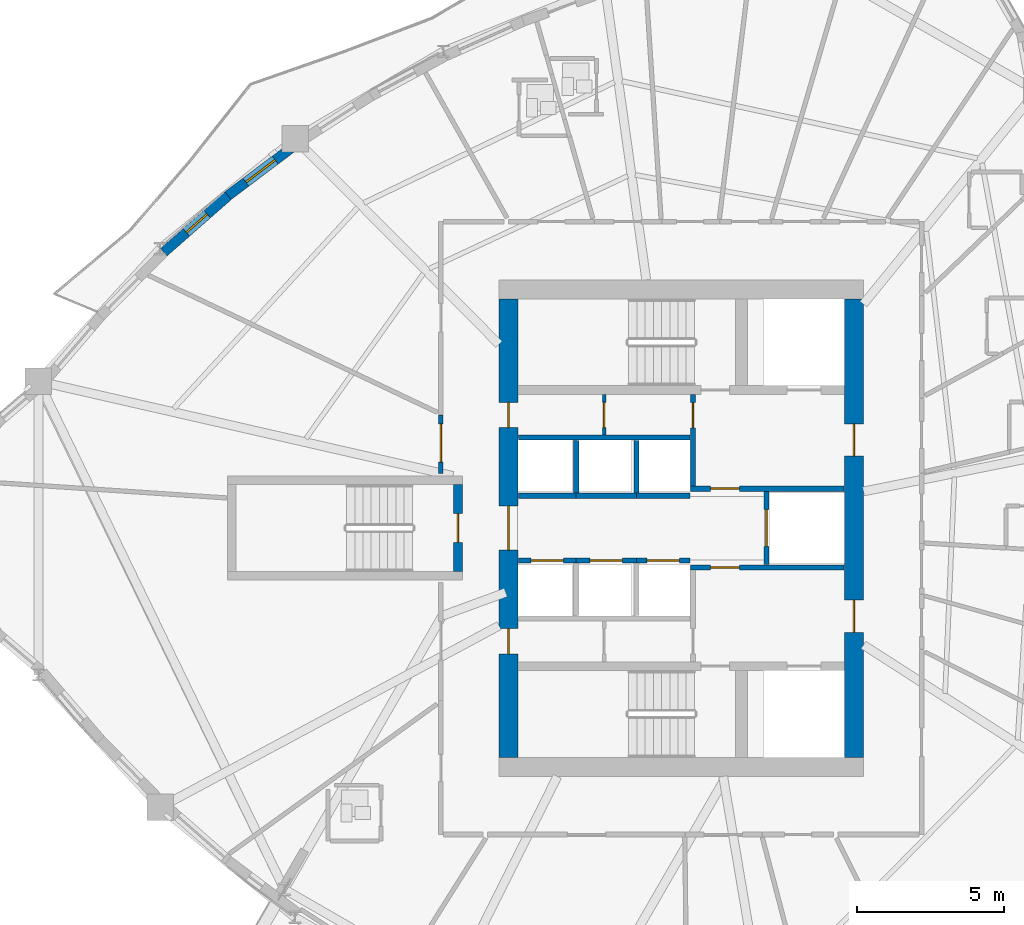
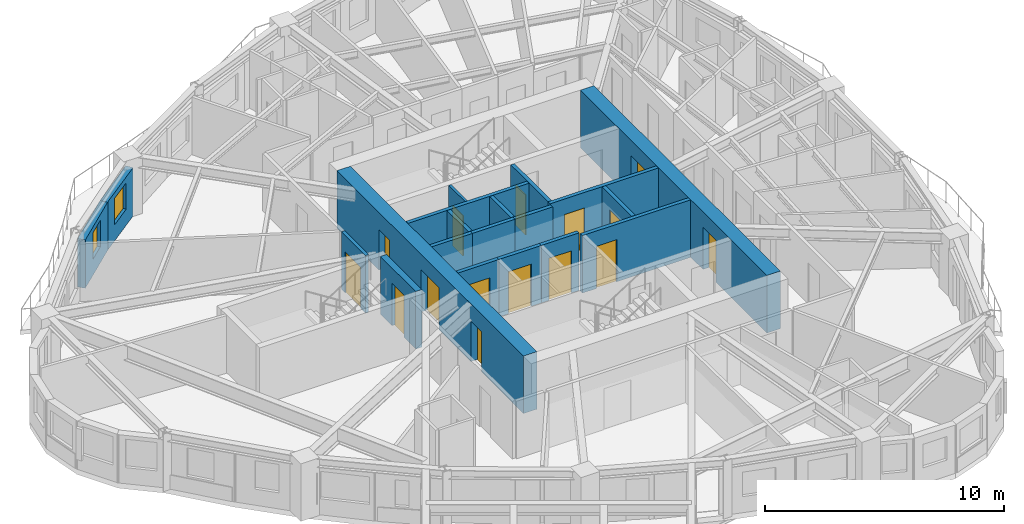
# One storey, part 8 of 17: 20 walls, 15 doors, 2 windows, 17 openings.
"""IFC4 building model written with IfcOpenShell, lengths in metres."""

from ifc_helpers import new_model, si_unit, direction, frame, frame_2d, origin, place, context, subcontext, project, spatial, rectangle, extrude, source, transform, mapped, material, layer, layer_set, type_object, element, fill, save


model = new_model("IFC4")

# Units and contexts
model_context = context("Model", 3, precision=1e-05, world=origin(), true_north=direction((0.0, 1.0)))
body_context = subcontext(model_context, "Body", "Model", "MODEL_VIEW")
ifc_project = project(units=[si_unit("LENGTHUNIT", "METRE"), si_unit("AREAUNIT", "SQUARE_METRE"), si_unit("VOLUMEUNIT", "CUBIC_METRE"), si_unit("PLANEANGLEUNIT", "RADIAN"), si_unit("MASSUNIT", "GRAM", prefix="KILO")], contexts=[model_context])

# Site, building, storey
site_placement = place(None, origin())
site = spatial("IfcSite", under=ifc_project, at=site_placement, CompositionType="ELEMENT")
building_placement = place(site_placement, origin())
building = spatial("IfcBuilding", under=site, at=building_placement, Name="Qafzar Sky-Pleat Residences", CompositionType="ELEMENT")
storey_placement = place(building_placement, frame((0.0, 0.0, 108.800048828125)))
storey = spatial("IfcBuildingStorey", under=building, at=storey_placement, Name="L32", CompositionType="ELEMENT", Elevation=108.800048828125)

# Wall, opening, door
ifc_material_1 = material(Name="Acoustic gypsum plasterboard partition", Category="gypsum")
ifc_layer_1 = layer(ifc_material_1, 0.159912109375)
ifc_layer_set_1 = layer_set([ifc_layer_1], Name="Acoustic gypsum plasterboard partition")
wall_type_1 = type_object("IfcWallType", Name="PART-COR-160", PredefinedType="PARTITIONING", material=ifc_layer_set_1)
wall_1_placement = place(storey_placement, frame((22.169921875, 27.85009765625, 0.0), z_axis=(0.0, 0.0, 1.0), x_axis=(0.0, 1.0, 0.0)))
wall_1 = element("IfcWall", 1, at=wall_1_placement, inside=storey, type_object=wall_type_1, Name="L32 Partition Wall PART-L32-PW-017", PredefinedType="PARTITIONING", context=body_context, shape_type="SweptSolid", body=[
    extrude(rectangle(XDim=2.0, YDim=0.159912109375, at=frame_2d((1.0, 0.0))), origin(), (0.0, 0.0, 1.0), 2.93505859375),
])
opening_1_placement = place(wall_1_placement, frame((0.39501953125, 0.0, 0.0)))
opening_1 = element("IfcOpeningElement", 2, at=opening_1_placement, cuts=wall_1, Name="Opening ID-05", PredefinedType="OPENING", context=body_context, shape_type="SweptSolid", body=[
    extrude(rectangle(XDim=1.300048828125, YDim=2.10009765625, at=frame_2d((0.64990234375, 1.050048828125))), frame((0.0, 0.08984375, 0.0), z_axis=(0.0, -1.0, 0.0), x_axis=(1.0, 0.0, 0.0)), (0.0, 0.0, 1.0), 0.179931640625),
])
ifc_material_2 = material(Name="Timber-faced fire door", Category="wood")
door_type_1 = type_object("IfcDoorType", Name="DR-LNG-1300", OperationType="DOUBLE_DOOR_SINGLE_SWING", PredefinedType="DOOR", material=ifc_material_2)
shared_shape_1 = source(origin(), body_context, "Body", "SweptSolid", [
    extrude(rectangle(XDim=1.300048828125, YDim=2.10009765625, at=frame_2d((0.64990234375, 1.050048828125))), frame((0.0, 0.02490234375, 0.0), z_axis=(0.0, -1.0, 0.0), x_axis=(1.0, 0.0, 0.0)), (0.0, 0.0, 1.0), 0.050048828125),
])
door_1_placement = place(opening_1_placement, origin())
door_1 = element("IfcDoor", 3, at=door_1_placement, inside=storey, type_object=door_type_1, Name="L32 Tutorial Huddle Room Door", OperationType="DOUBLE_DOOR_SINGLE_SWING", OverallHeight=2.10009765625, OverallWidth=1.300048828125, PredefinedType="DOOR", context=body_context, shape_type="MappedRepresentation", body=[
    mapped(shared_shape_1, transform((0.0, 0.0, 0.0), x_axis=(1.0, 0.0, 0.0), y_axis=(0.0, 1.0, 0.0), z_axis=(0.0, 0.0, 1.0), scale=1.0)),
])
fill(opening_1, door_1)

ifc_material_3 = material(Name="Concrete blockwork partition", Category="masonry")
ifc_layer_2 = layer(ifc_material_3, 0.179931640625)
ifc_layer_set_2 = layer_set([ifc_layer_2], Name="Concrete blockwork partition")
wall_type_2 = type_object("IfcWallType", Name="PART-SHAFT-180", PredefinedType="PARTITIONING", material=ifc_layer_set_2)
wall_2_placement = place(storey_placement, frame((30.669921875, 24.659912109375, 0.0), z_axis=(0.0, 0.0, 1.0), x_axis=(1.0, 0.0, 0.0)))
wall_2 = element("IfcWall", 4, at=wall_2_placement, inside=storey, type_object=wall_type_2, Name="L32 Partition Wall PART-L32-FFL1-N", PredefinedType="PARTITIONING", context=body_context, shape_type="SweptSolid", body=[
    extrude(rectangle(XDim=5.219970703125, YDim=0.179931640625, at=frame_2d((2.60986328125, 0.0))), origin(), (0.0, 0.0, 1.0), 2.93505859375),
])
opening_2_placement = place(wall_2_placement, frame((0.679931640625, 0.0, 0.0)))
opening_2 = element("IfcOpeningElement", 5, at=opening_2_placement, cuts=wall_2, Name="Opening ID-01", PredefinedType="OPENING", context=body_context, shape_type="SweptSolid", body=[
    extrude(rectangle(XDim=0.97998046875, YDim=2.14990234375, at=frame_2d((0.489990234375, 1.074951171875))), frame((0.0, 0.10009765625, 0.0), z_axis=(0.0, -1.0, 0.0), x_axis=(1.0, 0.0, 0.0)), (0.0, 0.0, 1.0), 0.199951171875),
])
door_type_2 = type_object("IfcDoorType", Name="DR-STAIR-980", OperationType="NOTDEFINED", PredefinedType="DOOR", material=ifc_material_2)
shared_shape_2 = source(origin(), body_context, "Body", "SweptSolid", [
    extrude(rectangle(XDim=0.97998046875, YDim=2.14990234375, at=frame_2d((0.489990234375, 1.074951171875))), frame((0.0, 0.02490234375, 0.0), z_axis=(0.0, -1.0, 0.0), x_axis=(1.0, 0.0, 0.0)), (0.0, 0.0, 1.0), 0.050048828125),
])
door_2_placement = place(opening_2_placement, origin())
door_2 = element("IfcDoor", 6, at=door_2_placement, inside=storey, type_object=door_type_2, Name="L32 Lift Lobby to South Firefighting Lobby Door", OperationType="SINGLE_SWING_RIGHT", OverallHeight=2.14990234375, OverallWidth=0.97998046875, PredefinedType="DOOR", context=body_context, shape_type="MappedRepresentation", body=[
    mapped(shared_shape_2, transform((0.0, 0.0, 0.0), x_axis=(1.0, 0.0, 0.0), y_axis=(0.0, 1.0, 0.0), z_axis=(0.0, 0.0, 1.0), scale=1.0)),
])
fill(opening_2, door_2)

wall_3_placement = place(storey_placement, frame((30.75, 27.429931640625, 0.0), z_axis=(0.0, 0.0, 1.0), x_axis=(0.0, 1.0, 0.0)))
wall_3 = element("IfcWall", 7, at=wall_3_placement, inside=storey, type_object=wall_type_2, Name="L32 Partition Wall PART-L32-FFL2-W", PredefinedType="PARTITIONING", context=body_context, shape_type="SweptSolid", body=[
    extrude(rectangle(XDim=3.110107421875, YDim=0.179931640625, at=frame_2d((1.55517578125, 0.0))), origin(), (0.0, 0.0, 1.0), 2.93505859375),
])
opening_3_placement = place(wall_3_placement, frame((1.97998046875, 0.0, 0.0)))
opening_3 = element("IfcOpeningElement", 8, at=opening_3_placement, cuts=wall_3, Name="Opening ID-09", PredefinedType="OPENING", context=body_context, shape_type="SweptSolid", body=[
    extrude(rectangle(XDim=0.860107421875, YDim=2.050048828125, at=frame_2d((0.43017578125, 1.02490234375))), frame((0.0, 0.10009765625, 0.0), z_axis=(0.0, -1.0, 0.0), x_axis=(1.0, 0.0, 0.0)), (0.0, 0.0, 1.0), 0.199951171875),
])
door_type_3 = type_object("IfcDoorType", Name="DR-SVC-860", OperationType="NOTDEFINED", PredefinedType="DOOR", material=ifc_material_2)
shared_shape_3 = source(origin(), body_context, "Body", "SweptSolid", [
    extrude(rectangle(XDim=0.860107421875, YDim=2.050048828125, at=frame_2d((0.43017578125, 1.02490234375))), frame((0.0, 0.02490234375, 0.0), z_axis=(0.0, -1.0, 0.0), x_axis=(1.0, 0.0, 0.0)), (0.0, 0.0, 1.0), 0.050048828125),
])
door_3_placement = place(opening_3_placement, origin())
door_3 = element("IfcDoor", 9, at=door_3_placement, inside=storey, type_object=door_type_3, Name="L32 North Core Cupboard Door", OperationType="SINGLE_SWING_LEFT", OverallHeight=2.050048828125, OverallWidth=0.860107421875, PredefinedType="DOOR", context=body_context, shape_type="MappedRepresentation", body=[
    mapped(shared_shape_3, transform((0.0, 0.0, 0.0), x_axis=(1.0, 0.0, 0.0), y_axis=(0.0, 1.0, 0.0), z_axis=(0.0, 0.0, 1.0), scale=1.0)),
])
fill(opening_3, door_3)

wall_4_placement = place(storey_placement, frame((30.669921875, 27.340087890625, 0.0), z_axis=(0.0, 0.0, 1.0), x_axis=(1.0, 0.0, 0.0)))
wall_4 = element("IfcWall", 10, at=wall_4_placement, inside=storey, type_object=wall_type_2, Name="L32 Partition Wall PART-L32-FFL2-S", PredefinedType="PARTITIONING", context=body_context, shape_type="SweptSolid", body=[
    extrude(rectangle(XDim=5.219970703125, YDim=0.179931640625, at=frame_2d((2.60986328125, 0.0))), origin(), (0.0, 0.0, 1.0), 2.93505859375),
])
opening_4_placement = place(wall_4_placement, frame((0.679931640625, 0.0, 0.0)))
opening_4 = element("IfcOpeningElement", 11, at=opening_4_placement, cuts=wall_4, Name="Opening ID-01", PredefinedType="OPENING", context=body_context, shape_type="SweptSolid", body=[
    extrude(rectangle(XDim=0.97998046875, YDim=2.14990234375, at=frame_2d((0.489990234375, 1.074951171875))), frame((0.0, 0.10009765625, 0.0), z_axis=(0.0, -1.0, 0.0), x_axis=(1.0, 0.0, 0.0)), (0.0, 0.0, 1.0), 0.199951171875),
])
door_4_placement = place(opening_4_placement, origin())
door_4 = element("IfcDoor", 12, at=door_4_placement, inside=storey, type_object=door_type_2, Name="L32 Lift Lobby to North Firefighting Lobby Door", OperationType="SINGLE_SWING_RIGHT", OverallHeight=2.14990234375, OverallWidth=0.97998046875, PredefinedType="DOOR", context=body_context, shape_type="MappedRepresentation", body=[
    mapped(shared_shape_2, transform((0.0, 0.0, 0.0), x_axis=(1.0, 0.0, 0.0), y_axis=(0.0, 1.0, 0.0), z_axis=(0.0, 0.0, 1.0), scale=1.0)),
])
fill(opening_4, door_4)

wall_5_placement = place(storey_placement, frame((33.25, 24.760009765625, 0.0), z_axis=(0.0, 0.0, 1.0), x_axis=(0.0, 1.0, 0.0)))
wall_5 = element("IfcWall", 13, at=wall_5_placement, inside=storey, type_object=wall_type_2, Name="L32 Partition Wall PART-L32-SV1-W", PredefinedType="PARTITIONING", context=body_context, shape_type="SweptSolid", body=[
    extrude(rectangle(XDim=2.47998046875, YDim=0.179931640625, at=frame_2d((1.239990234375, 0.0))), origin(), (0.0, 0.0, 1.0), 2.93505859375),
])
opening_5_placement = place(wall_5_placement, frame((0.614990234375, 0.0, 0.0)))
opening_5 = element("IfcOpeningElement", 14, at=opening_5_placement, cuts=wall_5, Name="Opening LD-03", PredefinedType="OPENING", context=body_context, shape_type="SweptSolid", body=[
    extrude(rectangle(XDim=1.25, YDim=2.14990234375, at=frame_2d((0.625, 1.074951171875))), frame((0.0, 0.10009765625, 0.0), z_axis=(0.0, -1.0, 0.0), x_axis=(1.0, 0.0, 0.0)), (0.0, 0.0, 1.0), 0.199951171875),
])
ifc_material_4 = material(Name="Stainless steel sliding landing door", Category="steel")
door_type_4 = type_object("IfcDoorType", Name="DR-LIFT-SV", OperationType="DOUBLE_DOOR_SLIDING", PredefinedType="DOOR", material=ifc_material_4)
shared_shape_4 = source(origin(), body_context, "Body", "SweptSolid", [
    extrude(rectangle(XDim=1.25, YDim=2.14990234375, at=frame_2d((0.625, 1.074951171875))), frame((0.0, 0.02490234375, 0.0), z_axis=(0.0, -1.0, 0.0), x_axis=(1.0, 0.0, 0.0)), (0.0, 0.0, 1.0), 0.050048828125),
])
door_5_placement = place(opening_5_placement, origin())
door_5 = element("IfcDoor", 15, at=door_5_placement, inside=storey, type_object=door_type_4, Name="L32 Service Lift SV1 Landing Door", OperationType="DOUBLE_DOOR_SLIDING", OverallHeight=2.14990234375, OverallWidth=1.25, PredefinedType="DOOR", context=body_context, shape_type="MappedRepresentation", body=[
    mapped(shared_shape_4, transform((0.0, 0.0, 0.0), x_axis=(1.0, 0.0, 0.0), y_axis=(0.0, 1.0, 0.0), z_axis=(0.0, 0.0, 1.0), scale=1.0)),
])
fill(opening_5, door_5)

wall_6_placement = place(storey_placement, frame((24.81005859375, 24.89990234375, 0.0), z_axis=(0.0, 0.0, 1.0), x_axis=(1.0, 0.0, 0.0)))
wall_6 = element("IfcWall", 16, at=wall_6_placement, inside=storey, type_object=wall_type_2, Name="L32 Partition Wall PART-L32-P1-N", PredefinedType="PARTITIONING", context=body_context, shape_type="SweptSolid", body=[
    extrude(rectangle(XDim=1.96484375, YDim=0.179931640625, at=frame_2d((0.982421875, 0.0))), origin(), (0.0, 0.0, 1.0), 2.93505859375),
])
opening_6_placement = place(wall_6_placement, frame((0.4326171875, 0.0, 0.0)))
opening_6 = element("IfcOpeningElement", 17, at=opening_6_placement, cuts=wall_6, Name="Opening LD-01", PredefinedType="OPENING", context=body_context, shape_type="SweptSolid", body=[
    extrude(rectangle(XDim=1.10009765625, YDim=2.14990234375, at=frame_2d((0.550048828125, 1.074951171875))), frame((0.0, 0.10009765625, 0.0), z_axis=(0.0, -1.0, 0.0), x_axis=(1.0, 0.0, 0.0)), (0.0, 0.0, 1.0), 0.199951171875),
])
door_type_5 = type_object("IfcDoorType", Name="DR-LIFT-P", OperationType="DOUBLE_DOOR_SLIDING", PredefinedType="DOOR", material=ifc_material_4)
shared_shape_5 = source(origin(), body_context, "Body", "SweptSolid", [
    extrude(rectangle(XDim=1.10009765625, YDim=2.14990234375, at=frame_2d((0.550048828125, 1.074951171875))), frame((0.0, 0.02490234375, 0.0), z_axis=(0.0, -1.0, 0.0), x_axis=(1.0, 0.0, 0.0)), (0.0, 0.0, 1.0), 0.050048828125),
])
door_6_placement = place(opening_6_placement, origin())
door_6 = element("IfcDoor", 18, at=door_6_placement, inside=storey, type_object=door_type_5, Name="L32 Passenger Lift P1 Landing Door", OperationType="DOUBLE_DOOR_SLIDING", OverallHeight=2.14990234375, OverallWidth=1.10009765625, PredefinedType="DOOR", context=body_context, shape_type="MappedRepresentation", body=[
    mapped(shared_shape_5, transform((0.0, 0.0, 0.0), x_axis=(1.0, 0.0, 0.0), y_axis=(0.0, 1.0, 0.0), z_axis=(0.0, 0.0, 1.0), scale=1.0)),
])
fill(opening_6, door_6)

wall_7_placement = place(storey_placement, frame((26.77490234375, 24.89990234375, 0.0), z_axis=(0.0, 0.0, 1.0), x_axis=(1.0, 0.0, 0.0)))
wall_7 = element("IfcWall", 19, at=wall_7_placement, inside=storey, type_object=wall_type_2, Name="L32 Partition Wall PART-L32-P2-N", PredefinedType="PARTITIONING", context=body_context, shape_type="SweptSolid", body=[
    extrude(rectangle(XDim=2.050048828125, YDim=0.179931640625, at=frame_2d((1.02490234375, 0.0))), origin(), (0.0, 0.0, 1.0), 2.93505859375),
])
opening_7_placement = place(wall_7_placement, frame((0.47509765625, 0.0, 0.0)))
opening_7 = element("IfcOpeningElement", 20, at=opening_7_placement, cuts=wall_7, Name="Opening LD-01", PredefinedType="OPENING", context=body_context, shape_type="SweptSolid", body=[
    extrude(rectangle(XDim=1.10009765625, YDim=2.14990234375, at=frame_2d((0.550048828125, 1.074951171875))), frame((0.0, 0.10009765625, 0.0), z_axis=(0.0, -1.0, 0.0), x_axis=(1.0, 0.0, 0.0)), (0.0, 0.0, 1.0), 0.199951171875),
])
door_7_placement = place(opening_7_placement, origin())
door_7 = element("IfcDoor", 21, at=door_7_placement, inside=storey, type_object=door_type_5, Name="L32 Passenger Lift P2 Landing Door", OperationType="DOUBLE_DOOR_SLIDING", OverallHeight=2.14990234375, OverallWidth=1.10009765625, PredefinedType="DOOR", context=body_context, shape_type="MappedRepresentation", body=[
    mapped(shared_shape_5, transform((0.0, 0.0, 0.0), x_axis=(1.0, 0.0, 0.0), y_axis=(0.0, 1.0, 0.0), z_axis=(0.0, 0.0, 1.0), scale=1.0)),
])
fill(opening_7, door_7)

wall_8_placement = place(storey_placement, frame((28.824951171875, 24.89990234375, 0.0), z_axis=(0.0, 0.0, 1.0), x_axis=(1.0, 0.0, 0.0)))
wall_8 = element("IfcWall", 22, at=wall_8_placement, inside=storey, type_object=wall_type_2, Name="L32 Partition Wall PART-L32-P3-N", PredefinedType="PARTITIONING", context=body_context, shape_type="SweptSolid", body=[
    extrude(rectangle(XDim=1.824951171875, YDim=0.179931640625, at=frame_2d((0.91259765625, 0.0))), origin(), (0.0, 0.0, 1.0), 2.93505859375),
])
opening_8_placement = place(wall_8_placement, frame((0.362548828125, 0.0, 0.0)))
opening_8 = element("IfcOpeningElement", 23, at=opening_8_placement, cuts=wall_8, Name="Opening LD-01", PredefinedType="OPENING", context=body_context, shape_type="SweptSolid", body=[
    extrude(rectangle(XDim=1.10009765625, YDim=2.14990234375, at=frame_2d((0.550048828125, 1.074951171875))), frame((0.0, 0.10009765625, 0.0), z_axis=(0.0, -1.0, 0.0), x_axis=(1.0, 0.0, 0.0)), (0.0, 0.0, 1.0), 0.199951171875),
])
door_8_placement = place(opening_8_placement, origin())
door_8 = element("IfcDoor", 24, at=door_8_placement, inside=storey, type_object=door_type_5, Name="L32 Passenger Lift P3 Landing Door", OperationType="DOUBLE_DOOR_SLIDING", OverallHeight=2.14990234375, OverallWidth=1.10009765625, PredefinedType="DOOR", context=body_context, shape_type="MappedRepresentation", body=[
    mapped(shared_shape_5, transform((0.0, 0.0, 0.0), x_axis=(1.0, 0.0, 0.0), y_axis=(0.0, 1.0, 0.0), z_axis=(0.0, 0.0, 1.0), scale=1.0)),
])
fill(opening_8, door_8)

# Walls
wall_9_placement = place(storey_placement, frame((24.81005859375, 29.080078125, 0.0), z_axis=(0.0, 0.0, 1.0), x_axis=(1.0, 0.0, 0.0)))
element("IfcWall", 25, at=wall_9_placement, inside=storey, type_object=wall_type_2, Name="L32 Partition Wall PART-L32-P46-N", PredefinedType="PARTITIONING", context=body_context, shape_type="SweptSolid", body=[
    extrude(rectangle(XDim=5.83984375, YDim=0.179931640625, at=frame_2d((2.919921875, 0.0))), origin(), (0.0, 0.0, 1.0), 2.93505859375),
])
wall_10_placement = place(storey_placement, frame((24.81005859375, 27.10009765625, 0.0), z_axis=(0.0, 0.0, 1.0), x_axis=(1.0, 0.0, 0.0)))
element("IfcWall", 26, at=wall_10_placement, inside=storey, type_object=wall_type_2, Name="L32 Partition Wall PART-L32-P4-S", PredefinedType="PARTITIONING", context=body_context, shape_type="SweptSolid", body=[
    extrude(rectangle(XDim=1.96484375, YDim=0.179931640625, at=frame_2d((0.982421875, 0.0))), origin(), (0.0, 0.0, 1.0), 2.93505859375),
])
wall_11_placement = place(storey_placement, frame((26.77490234375, 27.10009765625, 0.0), z_axis=(0.0, 0.0, 1.0), x_axis=(1.0, 0.0, 0.0)))
element("IfcWall", 27, at=wall_11_placement, inside=storey, type_object=wall_type_2, Name="L32 Partition Wall PART-L32-P5-S", PredefinedType="PARTITIONING", context=body_context, shape_type="SweptSolid", body=[
    extrude(rectangle(XDim=2.050048828125, YDim=0.179931640625, at=frame_2d((1.02490234375, 0.0))), origin(), (0.0, 0.0, 1.0), 2.93505859375),
])
wall_12_placement = place(storey_placement, frame((26.77490234375, 27.199951171875, 0.0), z_axis=(0.0, 0.0, 1.0), x_axis=(0.0, 1.0, 0.0)))
element("IfcWall", 28, at=wall_12_placement, inside=storey, type_object=wall_type_2, Name="L32 Partition Wall PART-L32-P46-DIV-1", PredefinedType="PARTITIONING", context=body_context, shape_type="SweptSolid", body=[
    extrude(rectangle(XDim=1.780029296875, YDim=0.179931640625, at=frame_2d((0.89013671875, 0.0))), origin(), (0.0, 0.0, 1.0), 2.93505859375),
])
wall_13_placement = place(storey_placement, frame((28.824951171875, 27.10009765625, 0.0), z_axis=(0.0, 0.0, 1.0), x_axis=(1.0, 0.0, 0.0)))
element("IfcWall", 29, at=wall_13_placement, inside=storey, type_object=wall_type_2, Name="L32 Partition Wall PART-L32-P6-S", PredefinedType="PARTITIONING", context=body_context, shape_type="SweptSolid", body=[
    extrude(rectangle(XDim=1.824951171875, YDim=0.179931640625, at=frame_2d((0.91259765625, 0.0))), origin(), (0.0, 0.0, 1.0), 2.93505859375),
])
wall_14_placement = place(storey_placement, frame((28.824951171875, 27.199951171875, 0.0), z_axis=(0.0, 0.0, 1.0), x_axis=(0.0, 1.0, 0.0)))
element("IfcWall", 30, at=wall_14_placement, inside=storey, type_object=wall_type_2, Name="L32 Partition Wall PART-L32-P46-DIV-2", PredefinedType="PARTITIONING", context=body_context, shape_type="SweptSolid", body=[
    extrude(rectangle(XDim=1.780029296875, YDim=0.179931640625, at=frame_2d((0.89013671875, 0.0))), origin(), (0.0, 0.0, 1.0), 2.93505859375),
])

# Wall, opening, door
ifc_material_5 = material(Name="Gypsum plasterboard partition", Category="gypsum")
ifc_layer_3 = layer(ifc_material_5, 0.114990234375)
ifc_layer_set_3 = layer_set([ifc_layer_3], Name="Gypsum plasterboard partition")
wall_type_3 = type_object("IfcWallType", Name="PART-SVC-115", PredefinedType="PARTITIONING", material=ifc_layer_set_3)
wall_15_placement = place(storey_placement, frame((27.72509765625, 29.159912109375, 0.0), z_axis=(0.0, 0.0, 1.0), x_axis=(0.0, 1.0, 0.0)))
wall_15 = element("IfcWall", 31, at=wall_15_placement, inside=storey, type_object=wall_type_3, Name="L32 Partition Wall PART-L32-KB-NW", PredefinedType="PARTITIONING", context=body_context, shape_type="SweptSolid", body=[
    extrude(rectangle(XDim=1.380126953125, YDim=0.114990234375, at=frame_2d((0.68994140625, 0.0))), origin(), (0.0, 0.0, 1.0), 2.93505859375),
])
opening_9_placement = place(wall_15_placement, frame((0.260009765625, 0.0, 0.0)))
opening_9 = element("IfcOpeningElement", 32, at=opening_9_placement, cuts=wall_15, Name="Opening ID-09", PredefinedType="OPENING", context=body_context, shape_type="SweptSolid", body=[
    extrude(rectangle(XDim=0.860107421875, YDim=2.050048828125, at=frame_2d((0.43017578125, 1.02490234375))), frame((0.0, 0.0673828125, 0.0), z_axis=(0.0, -1.0, 0.0), x_axis=(1.0, 0.0, 0.0)), (0.0, 0.0, 1.0), 0.135009765625),
])
door_9_placement = place(opening_9_placement, origin())
door_9 = element("IfcDoor", 33, at=door_9_placement, inside=storey, type_object=door_type_3, Name="L32 IT Cupboard Door", OperationType="SINGLE_SWING_RIGHT", OverallHeight=2.050048828125, OverallWidth=0.860107421875, PredefinedType="DOOR", context=body_context, shape_type="MappedRepresentation", body=[
    mapped(shared_shape_3, transform((0.0, 0.0, 0.0), x_axis=(1.0, 0.0, 0.0), y_axis=(0.0, 1.0, 0.0), z_axis=(0.0, 0.0, 1.0), scale=1.0)),
])
fill(opening_9, door_9)

# Wall, opening, window
ifc_material_6 = material(Name="Precast concrete C40/50 with honed Riyadh limestone", Category="concrete")
ifc_layer_4 = layer(ifc_material_6, 0.340087890625)
ifc_layer_set_4 = layer_set([ifc_layer_4], Name="Precast concrete C40/50 with honed Riyadh limestone")
wall_type_4 = type_object("IfcWallType", Name="WALL-EXT-340", PredefinedType="SOLIDWALL", material=ifc_layer_set_4)
wall_16_placement = place(storey_placement, frame((17.128173828125, 38.97314453125, 0.0), z_axis=(0.0, 0.0, 1.0), x_axis=(-0.798381200707, -0.602152354772, 0.0)))
wall_16 = element("IfcWall", 34, at=wall_16_placement, inside=storey, type_object=wall_type_4, Name="L32 Limestone Facade Wall 45", PredefinedType="SOLIDWALL", context=body_context, shape_type="SweptSolid", body=[
    extrude(rectangle(XDim=2.755859375, YDim=0.340087890625, at=frame_2d((1.3779296875, 0.0))), origin(), (0.0, 0.0, 1.0), 2.46484375),
])
opening_10_placement = place(wall_16_placement, frame((0.747802734375, 0.0, 0.820068359375)))
opening_10 = element("IfcOpeningElement", 35, at=opening_10_placement, cuts=wall_16, Name="Opening WN-11", PredefinedType="OPENING", context=body_context, shape_type="SweptSolid", body=[
    extrude(rectangle(XDim=1.25, YDim=1.35009765625, at=frame_2d((0.625, 0.675048828125))), frame((0.0, 0.18017578125, 0.0), z_axis=(0.0, -1.0, 0.0), x_axis=(1.0, 0.0, 0.0)), (0.0, 0.0, 1.0), 0.360107421875),
])
ifc_material_7 = material(Name="Solar-control low-E glass in bronze aluminium frame", Category="glass")
window_type_1 = type_object("IfcWindowType", Name="WIN-11", PartitioningType="SINGLE_PANEL", PredefinedType="WINDOW", material=ifc_material_7)
shared_shape_6 = source(origin(), body_context, "Body", "SweptSolid", [
    extrude(rectangle(XDim=1.25, YDim=1.35009765625, at=frame_2d((0.625, 0.675048828125))), frame((0.0, 0.030029296875, 0.0), z_axis=(0.0, -1.0, 0.0), x_axis=(1.0, 0.0, 0.0)), (0.0, 0.0, 1.0), 0.06005859375),
])
window_1_placement = place(opening_10_placement, origin())
window_1 = element("IfcWindow", 36, at=window_1_placement, inside=storey, type_object=window_type_1, Name="L32 Punched Facade Window 45", OverallHeight=1.35009765625, OverallWidth=1.25, PartitioningType="SINGLE_PANEL", PredefinedType="WINDOW", context=body_context, shape_type="MappedRepresentation", body=[
    mapped(shared_shape_6, transform((0.0, 0.0, 0.0), x_axis=(1.0, 0.0, 0.0), y_axis=(0.0, 1.0, 0.0), z_axis=(0.0, 0.0, 1.0), scale=1.0)),
])
fill(opening_10, window_1)

wall_17_placement = place(storey_placement, frame((14.996826171875, 37.36962890625, 0.0), z_axis=(0.0, 0.0, 1.0), x_axis=(-0.751446130796, -0.659794447166, 0.0)))
wall_17 = element("IfcWall", 37, at=wall_17_placement, inside=storey, type_object=wall_type_4, Name="L32 Limestone Facade Wall 46", PredefinedType="SOLIDWALL", context=body_context, shape_type="SweptSolid", body=[
    extrude(rectangle(XDim=2.99951171875, YDim=0.340087890625, at=frame_2d((1.499755859375, 0.0))), origin(), (0.0, 0.0, 1.0), 2.46484375),
])
opening_11_placement = place(wall_17_placement, frame((1.03466796875, 0.0, 0.820068359375)))
opening_11 = element("IfcOpeningElement", 38, at=opening_11_placement, cuts=wall_17, Name="Opening WN-12", PredefinedType="OPENING", context=body_context, shape_type="SweptSolid", body=[
    extrude(rectangle(XDim=0.949951171875, YDim=1.35009765625, at=frame_2d((0.47509765625, 0.675048828125))), frame((0.0, 0.18017578125, 0.0), z_axis=(0.0, -1.0, 0.0), x_axis=(1.0, 0.0, 0.0)), (0.0, 0.0, 1.0), 0.360107421875),
])
window_type_2 = type_object("IfcWindowType", Name="WIN-12", PartitioningType="SINGLE_PANEL", PredefinedType="WINDOW", material=ifc_material_7)
shared_shape_7 = source(origin(), body_context, "Body", "SweptSolid", [
    extrude(rectangle(XDim=0.949951171875, YDim=1.35009765625, at=frame_2d((0.47509765625, 0.675048828125))), frame((0.0, 0.030029296875, 0.0), z_axis=(0.0, -1.0, 0.0), x_axis=(1.0, 0.0, 0.0)), (0.0, 0.0, 1.0), 0.06005859375),
])
window_2_placement = place(opening_11_placement, origin())
window_2 = element("IfcWindow", 39, at=window_2_placement, inside=storey, type_object=window_type_2, Name="L32 Punched Facade Window 46", OverallHeight=1.35009765625, OverallWidth=0.949951171875, PartitioningType="SINGLE_PANEL", PredefinedType="WINDOW", context=body_context, shape_type="MappedRepresentation", body=[
    mapped(shared_shape_7, transform((0.0, 0.0, 0.0), x_axis=(1.0, 0.0, 0.0), y_axis=(0.0, 1.0, 0.0), z_axis=(0.0, 0.0, 1.0), scale=1.0)),
])
fill(opening_11, window_2)

# Wall, opening, door
ifc_material_8 = material(Name="Concrete C60/75", Category="concrete")
ifc_layer_5 = layer(ifc_material_8, 0.300048828125)
ifc_layer_set_5 = layer_set([ifc_layer_5], Name="Concrete C60/75")
wall_type_5 = type_object("IfcWallType", Name="WALL-SHEAR-300", PredefinedType="SHEAR", material=ifc_layer_set_5)
wall_18_placement = place(storey_placement, frame((22.75, 24.52490234375, 0.0), z_axis=(0.0, 0.0, 1.0), x_axis=(0.0, 1.0, 0.0)))
wall_18 = element("IfcWall", 40, at=wall_18_placement, inside=storey, type_object=wall_type_5, Name="L32 ST3 wall E", PredefinedType="SHEAR", context=body_context, shape_type="SweptSolid", body=[
    extrude(rectangle(XDim=2.9501953125, YDim=0.300048828125, at=frame_2d((1.47509765625, 0.0))), origin(), (0.0, 0.0, 1.0), 2.93505859375),
])
opening_12_placement = place(wall_18_placement, frame((0.985107421875, 0.0, 0.0)))
opening_12 = element("IfcOpeningElement", 41, at=opening_12_placement, cuts=wall_18, Name="Opening ID-01", PredefinedType="OPENING", context=body_context, shape_type="SweptSolid", body=[
    extrude(rectangle(XDim=0.97998046875, YDim=2.14990234375, at=frame_2d((0.489990234375, 1.074951171875))), frame((0.0, 0.16015625, 0.0), z_axis=(0.0, -1.0, 0.0), x_axis=(1.0, 0.0, 0.0)), (0.0, 0.0, 1.0), 0.320068359375),
])
door_10_placement = place(opening_12_placement, origin())
door_10 = element("IfcDoor", 42, at=door_10_placement, inside=storey, type_object=door_type_2, Name="L32 Stair ST3 Fire Door", OperationType="SINGLE_SWING_RIGHT", OverallHeight=2.14990234375, OverallWidth=0.97998046875, PredefinedType="DOOR", context=body_context, shape_type="MappedRepresentation", body=[
    mapped(shared_shape_2, transform((0.0, 0.0, 0.0), x_axis=(1.0, 0.0, 0.0), y_axis=(0.0, 1.0, 0.0), z_axis=(0.0, 0.0, 1.0), scale=1.0)),
])
fill(opening_12, door_10)

# Wall, openings, doors
ifc_layer_6 = layer(ifc_material_8, 0.64990234375)
ifc_layer_set_6 = layer_set([ifc_layer_6], Name="Concrete C60/75")
wall_type_6 = type_object("IfcWallType", Name="WALL-SHEAR-650", PredefinedType="SHEAR", material=ifc_layer_set_6)
wall_19_placement = place(storey_placement, frame((24.47509765625, 33.800048828125, 0.0), z_axis=(0.0, 0.0, 1.0), x_axis=(0.0, -1.0, 0.0)))
wall_19 = element("IfcWall", 43, at=wall_19_placement, inside=storey, type_object=wall_type_6, Name="L32 CORE wall W", PredefinedType="SHEAR", context=body_context, shape_type="SweptSolid", body=[
    extrude(rectangle(XDim=15.60009765625, YDim=0.64990234375, at=frame_2d((7.800048828125, 0.0))), origin(), (0.0, 0.0, 1.0), 2.93505859375),
])
opening_13_placement = place(wall_19_placement, frame((7.050048828125, 0.0, 0.0)))
opening_13 = element("IfcOpeningElement", 44, at=opening_13_placement, cuts=wall_19, Name="Opening ID-03", PredefinedType="OPENING", context=body_context, shape_type="SweptSolid", body=[
    extrude(rectangle(XDim=1.5, YDim=2.14990234375, at=frame_2d((0.75, 1.074951171875))), frame((0.0, 0.3349609375, 0.0), z_axis=(0.0, -1.0, 0.0), x_axis=(1.0, 0.0, 0.0)), (0.0, 0.0, 1.0), 0.669921875),
])
opening_14_placement = place(wall_19_placement, frame((3.52001953125, 0.0, 0.0)))
opening_14 = element("IfcOpeningElement", 45, at=opening_14_placement, cuts=wall_19, Name="Opening ID-09", PredefinedType="OPENING", context=body_context, shape_type="SweptSolid", body=[
    extrude(rectangle(XDim=0.860107421875, YDim=2.050048828125, at=frame_2d((0.43017578125, 1.02490234375))), frame((0.0, 0.3349609375, 0.0), z_axis=(0.0, -1.0, 0.0), x_axis=(1.0, 0.0, 0.0)), (0.0, 0.0, 1.0), 0.669921875),
])
opening_15_placement = place(wall_19_placement, frame((11.219970703125, 0.0, 0.0)))
opening_15 = element("IfcOpeningElement", 46, at=opening_15_placement, cuts=wall_19, Name="Opening ID-09", PredefinedType="OPENING", context=body_context, shape_type="SweptSolid", body=[
    extrude(rectangle(XDim=0.860107421875, YDim=2.050048828125, at=frame_2d((0.43017578125, 1.02490234375))), frame((0.0, 0.3349609375, 0.0), z_axis=(0.0, -1.0, 0.0), x_axis=(1.0, 0.0, 0.0)), (0.0, 0.0, 1.0), 0.669921875),
])
door_type_6 = type_object("IfcDoorType", Name="DR-COR-1500", OperationType="DOUBLE_DOOR_SINGLE_SWING", PredefinedType="DOOR", material=ifc_material_2)
shared_shape_8 = source(origin(), body_context, "Body", "SweptSolid", [
    extrude(rectangle(XDim=1.5, YDim=2.14990234375, at=frame_2d((0.75, 1.074951171875))), frame((0.0, 0.02490234375, 0.0), z_axis=(0.0, -1.0, 0.0), x_axis=(1.0, 0.0, 0.0)), (0.0, 0.0, 1.0), 0.050048828125),
])
door_11_placement = place(opening_13_placement, origin())
door_11 = element("IfcDoor", 47, at=door_11_placement, inside=storey, type_object=door_type_6, Name="L32 Lift Lobby West Double Door", OperationType="DOUBLE_DOOR_SINGLE_SWING", OverallHeight=2.14990234375, OverallWidth=1.5, PredefinedType="DOOR", context=body_context, shape_type="MappedRepresentation", body=[
    mapped(shared_shape_8, transform((0.0, 0.0, 0.0), x_axis=(1.0, 0.0, 0.0), y_axis=(0.0, 1.0, 0.0), z_axis=(0.0, 0.0, 1.0), scale=1.0)),
])
fill(opening_13, door_11)
door_12_placement = place(opening_14_placement, origin())
door_12 = element("IfcDoor", 48, at=door_12_placement, inside=storey, type_object=door_type_3, Name="L32 Core North-West Service Door", OperationType="SINGLE_SWING_LEFT", OverallHeight=2.050048828125, OverallWidth=0.860107421875, PredefinedType="DOOR", context=body_context, shape_type="MappedRepresentation", body=[
    mapped(shared_shape_3, transform((0.0, 0.0, 0.0), x_axis=(1.0, 0.0, 0.0), y_axis=(0.0, 1.0, 0.0), z_axis=(0.0, 0.0, 1.0), scale=1.0)),
])
fill(opening_14, door_12)
door_13_placement = place(opening_15_placement, origin())
door_13 = element("IfcDoor", 49, at=door_13_placement, inside=storey, type_object=door_type_3, Name="L32 Core South-West Service Door", OperationType="SINGLE_SWING_RIGHT", OverallHeight=2.050048828125, OverallWidth=0.860107421875, PredefinedType="DOOR", context=body_context, shape_type="MappedRepresentation", body=[
    mapped(shared_shape_3, transform((0.0, 0.0, 0.0), x_axis=(1.0, 0.0, 0.0), y_axis=(0.0, 1.0, 0.0), z_axis=(0.0, 0.0, 1.0), scale=1.0)),
])
fill(opening_15, door_13)

wall_20_placement = place(storey_placement, frame((36.22509765625, 18.199951171875, 0.0), z_axis=(0.0, 0.0, 1.0), x_axis=(0.0, 1.0, 0.0)))
wall_20 = element("IfcWall", 50, at=wall_20_placement, inside=storey, type_object=wall_type_6, Name="L32 CORE wall E", PredefinedType="SHEAR", context=body_context, shape_type="SweptSolid", body=[
    extrude(rectangle(XDim=15.60009765625, YDim=0.64990234375, at=frame_2d((7.800048828125, 0.0))), origin(), (0.0, 0.0, 1.0), 2.93505859375),
])
opening_16_placement = place(wall_20_placement, frame((4.25, 0.0, 0.0)))
opening_16 = element("IfcOpeningElement", 51, at=opening_16_placement, cuts=wall_20, Name="Opening ID-02", PredefinedType="OPENING", context=body_context, shape_type="SweptSolid", body=[
    extrude(rectangle(XDim=1.10009765625, YDim=2.14990234375, at=frame_2d((0.550048828125, 1.074951171875))), frame((0.0, 0.3349609375, 0.0), z_axis=(0.0, -1.0, 0.0), x_axis=(1.0, 0.0, 0.0)), (0.0, 0.0, 1.0), 0.669921875),
])
opening_17_placement = place(wall_20_placement, frame((10.25, 0.0, 0.0)))
opening_17 = element("IfcOpeningElement", 52, at=opening_17_placement, cuts=wall_20, Name="Opening ID-02", PredefinedType="OPENING", context=body_context, shape_type="SweptSolid", body=[
    extrude(rectangle(XDim=1.10009765625, YDim=2.14990234375, at=frame_2d((0.550048828125, 1.074951171875))), frame((0.0, 0.3349609375, 0.0), z_axis=(0.0, -1.0, 0.0), x_axis=(1.0, 0.0, 0.0)), (0.0, 0.0, 1.0), 0.669921875),
])
door_type_7 = type_object("IfcDoorType", Name="DR-FFL-1100", OperationType="NOTDEFINED", PredefinedType="DOOR", material=ifc_material_2)
door_14_placement = place(opening_16_placement, origin())
door_14 = element("IfcDoor", 53, at=door_14_placement, inside=storey, type_object=door_type_7, Name="L32 Firefighting Lobby South Corridor Door", OperationType="SINGLE_SWING_LEFT", OverallHeight=2.14990234375, OverallWidth=1.10009765625, PredefinedType="DOOR", context=body_context, shape_type="MappedRepresentation", body=[
    mapped(shared_shape_5, transform((0.0, 0.0, 0.0), x_axis=(1.0, 0.0, 0.0), y_axis=(0.0, 1.0, 0.0), z_axis=(0.0, 0.0, 1.0), scale=1.0)),
])
fill(opening_16, door_14)
door_15_placement = place(opening_17_placement, origin())
door_15 = element("IfcDoor", 54, at=door_15_placement, inside=storey, type_object=door_type_7, Name="L32 Firefighting Lobby North Corridor Door", OperationType="SINGLE_SWING_RIGHT", OverallHeight=2.14990234375, OverallWidth=1.10009765625, PredefinedType="DOOR", context=body_context, shape_type="MappedRepresentation", body=[
    mapped(shared_shape_5, transform((0.0, 0.0, 0.0), x_axis=(1.0, 0.0, 0.0), y_axis=(0.0, 1.0, 0.0), z_axis=(0.0, 0.0, 1.0), scale=1.0)),
])
fill(opening_17, door_15)

save(model, "model.ifc")
